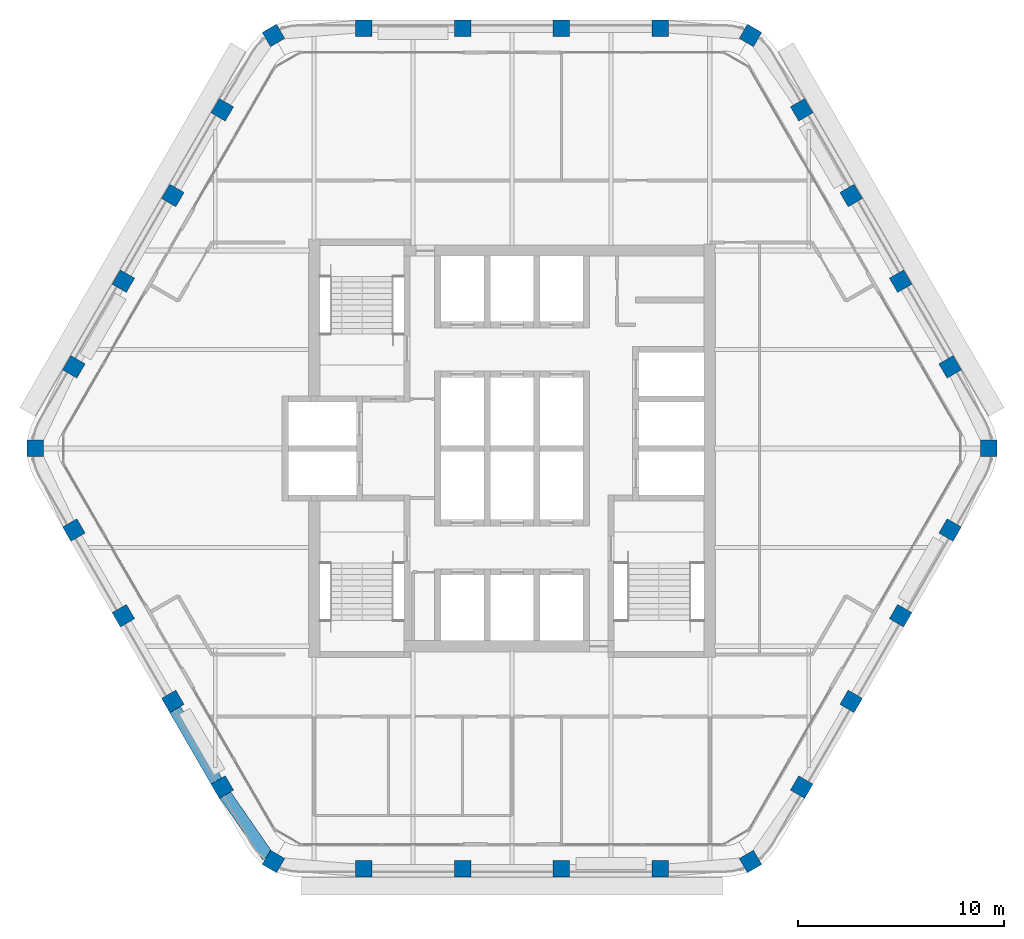
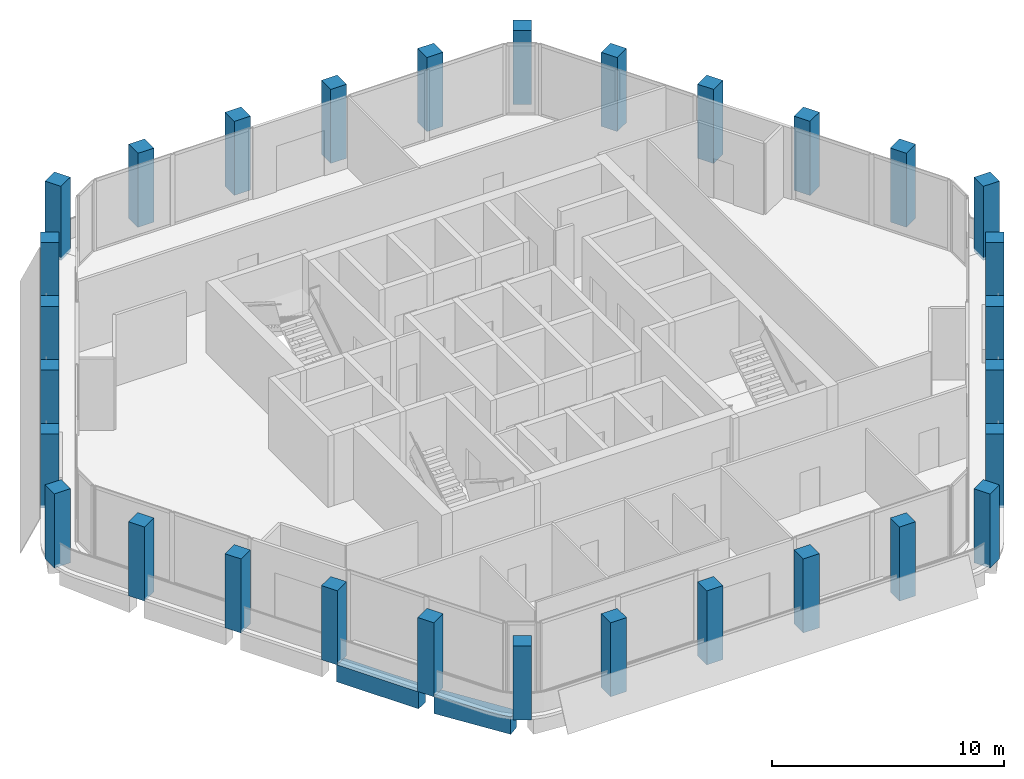
# One storey, part 1 of 13: 30 columns, 2 beams.
"""IFC4 building model written with IfcOpenShell, lengths in metres."""

from ifc_helpers import new_model, si_unit, direction, frame, origin, origin_2d, place, context, subcontext, project, spatial, rectangle, extrude, material, material_profile, profile_set, type_object, element, save


model = new_model("IFC4")

# Units and contexts
model_context = context("Model", 3, precision=1e-05, world=origin(), true_north=direction((0.0, 1.0)))
body_context = subcontext(model_context, "Body", "Model", "MODEL_VIEW")
ifc_project = project(units=[si_unit("LENGTHUNIT", "METRE"), si_unit("AREAUNIT", "SQUARE_METRE"), si_unit("VOLUMEUNIT", "CUBIC_METRE"), si_unit("PLANEANGLEUNIT", "RADIAN"), si_unit("MASSUNIT", "GRAM", prefix="KILO")], contexts=[model_context])

# Site, building, storey
site_placement = place(None, origin())
site = spatial("IfcSite", under=ifc_project, at=site_placement, CompositionType="ELEMENT")
building_placement = place(site_placement, origin())
building = spatial("IfcBuilding", under=site, at=building_placement, Name="Kolab Exchange Tower", CompositionType="ELEMENT")
storey_placement = place(building_placement, frame((0.0, 0.0, 277.39990234375)))
storey = spatial("IfcBuildingStorey", under=building, at=storey_placement, Name="L62", CompositionType="ELEMENT", Elevation=277.39990234375)

# Columns
ifc_material = material(Name="Concrete C50/60", Category="concrete")
ifc_material_profile_1 = material_profile(ifc_material, rectangle(XDim=0.800048828125, YDim=0.800048828125, at=origin_2d()), Name="RC800")
ifc_profile_set_1 = profile_set([ifc_material_profile_1], Name="Concrete C50/60")
column_type = type_object("IfcColumnType", Name="PERIMETER COLUMN 800 SQ C50/60", PredefinedType="COLUMN", material=ifc_profile_set_1)
for number, where, z_axis, x_axis, name in (
    (1, (-11.56787109375, 20.036376953125, -0.14990234375), (0.0, 0.0, 1.0), (0.866025403784, 0.5, 0.0), "col/L62/F1-01"),
    (2, (-7.199951171875, 20.384521484375, -0.14990234375), (0.0, 0.0, 1.0), (1.0, 0.0, 0.0), "col/L62/F1-02"),
    (3, (-2.39990234375, 20.384521484375, -0.14990234375), (0.0, 0.0, 1.0), (1.0, 0.0, 0.0), "col/L62/F1-03"),
    (4, (2.39990234375, 20.384521484375, -0.14990234375), (0.0, 0.0, 1.0), (1.0, 0.0, 0.0), "col/L62/F1-04"),
    (5, (7.199951171875, 20.384521484375, -0.14990234375), (0.0, 0.0, 1.0), (1.0, 0.0, 0.0), "col/L62/F1-05"),
    (6, (11.56787109375, 20.036376953125, -0.14990234375), (0.0, 0.0, 1.0), (0.5, 0.866025403784, 0.0), "col/L62/F2-01"),
    (7, (14.0537109375, 16.427734375, -0.14990234375), (0.0, 0.0, 1.0), (0.866025403784, 0.5, 0.0), "col/L62/F2-02"),
    (8, (16.45361328125, 12.270751953125, -0.14990234375), (0.0, 0.0, 1.0), (0.866025403784, 0.5, 0.0), "col/L62/F2-03"),
    (9, (18.853515625, 8.11376953125, -0.14990234375), (0.0, 0.0, 1.0), (0.866025403784, 0.5, 0.0), "col/L62/F2-04"),
    (10, (21.253662109375, 3.95703125, -0.14990234375), (0.0, 0.0, 1.0), (0.866025403784, 0.5, 0.0), "col/L62/F2-05"),
    (11, (23.135986328125, 0.0, -0.14990234375), (0.0, 0.0, 1.0), (1.0, 0.0, 0.0), "col/L62/F3-01"),
    (12, (21.253662109375, -3.95703125, -0.14990234375), (0.0, 0.0, 1.0), (0.5, 0.866025403784, 0.0), "col/L62/F3-02"),
    (13, (18.853515625, -8.11376953125, -0.14990234375), (0.0, 0.0, 1.0), (0.5, 0.866025403784, 0.0), "col/L62/F3-03"),
    (14, (16.45361328125, -12.270751953125, -0.14990234375), (0.0, 0.0, 1.0), (0.5, 0.866025403784, 0.0), "col/L62/F3-04"),
    (15, (14.0537109375, -16.427734375, -0.14990234375), (0.0, 0.0, 1.0), (0.5, 0.866025403784, 0.0), "col/L62/F3-05"),
    (16, (11.56787109375, -20.036376953125, -0.14990234375), (0.0, 0.0, 1.0), (0.866025403784, 0.5, 0.0), "col/L62/F4-01"),
    (17, (7.199951171875, -20.384521484375, -0.14990234375), (0.0, 0.0, 1.0), (1.0, 0.0, 0.0), "col/L62/F4-02"),
    (18, (2.39990234375, -20.384521484375, -0.14990234375), (0.0, 0.0, 1.0), (1.0, 0.0, 0.0), "col/L62/F4-03"),
    (19, (-2.39990234375, -20.384521484375, -0.14990234375), (0.0, 0.0, 1.0), (1.0, 0.0, 0.0), "col/L62/F4-04"),
    (20, (-7.199951171875, -20.384521484375, -0.14990234375), (0.0, 0.0, 1.0), (1.0, 0.0, 0.0), "col/L62/F4-05"),
    (21, (-11.56787109375, -20.036376953125, -0.14990234375), (0.0, 0.0, 1.0), (0.5, 0.866025403784, 0.0), "col/L62/F5-01"),
    (22, (-14.0537109375, -16.427734375, -0.14990234375), (0.0, 0.0, 1.0), (0.866025403784, 0.5, 0.0), "col/L62/F5-02"),
    (23, (-16.45361328125, -12.270751953125, -0.14990234375), (0.0, 0.0, 1.0), (0.866025403784, 0.5, 0.0), "col/L62/F5-03"),
    (24, (-18.853515625, -8.11376953125, -0.14990234375), (0.0, 0.0, 1.0), (0.866025403784, 0.5, 0.0), "col/L62/F5-04"),
    (25, (-21.253662109375, -3.95703125, -0.14990234375), (0.0, 0.0, 1.0), (0.866025403784, 0.5, 0.0), "col/L62/F5-05"),
    (26, (-23.135986328125, 0.0, -0.14990234375), (0.0, 0.0, 1.0), (1.0, 0.0, 0.0), "col/L62/F6-01"),
    (27, (-21.253662109375, 3.95703125, -0.14990234375), (0.0, 0.0, 1.0), (0.5, 0.866025403784, 0.0), "col/L62/F6-02"),
    (28, (-18.853515625, 8.11376953125, -0.14990234375), (0.0, 0.0, 1.0), (0.5, 0.866025403784, 0.0), "col/L62/F6-03"),
    (29, (-16.45361328125, 12.270751953125, -0.14990234375), (0.0, 0.0, 1.0), (0.5, 0.866025403784, 0.0), "col/L62/F6-04"),
    (30, (-14.0537109375, 16.427734375, -0.14990234375), (0.0, 0.0, 1.0), (0.5, 0.866025403784, 0.0), "col/L62/F6-05"),
):
    element("IfcColumn", number, at=place(storey_placement, frame(where, z_axis=z_axis, x_axis=x_axis)), inside=storey, type_object=column_type, Name=name, PredefinedType="COLUMN", context=body_context, shape_type="SweptSolid", body=[
        extrude(rectangle(XDim=0.800048828125, YDim=0.800048828125, at=origin_2d()), origin(), (0.0, 0.0, 1.0), 3.89990234375),
    ])

# Beams
ifc_material_profile_2 = material_profile(ifc_material, rectangle(XDim=0.60009765625, YDim=0.89990234375, at=origin_2d()), Name="RC600X900")
ifc_profile_set_2 = profile_set([ifc_material_profile_2], Name="Concrete C50/60")
beam_type = type_object("IfcBeamType", Name="SPANDREL BEAM 600X900 C50/60", PredefinedType="BEAM", material=ifc_profile_set_2)
beam_1_placement = place(storey_placement, frame((-11.846923828125, -19.7919921875, -0.599853515625), z_axis=(-0.569005808573, 0.822333502789, 0.0), x_axis=(-0.822333502789, -0.569005808573, 0.0)))
element("IfcBeam", 31, at=beam_1_placement, inside=storey, type_object=beam_type, Name="beam/L62/sp/F5-01", PredefinedType="BEAM", context=body_context, shape_type="SweptSolid", body=[
    extrude(rectangle(XDim=0.60009765625, YDim=0.89990234375, at=origin_2d()), origin(), (0.0, 0.0, 1.0), 3.6689453125),
])
beam_2_placement = place(storey_placement, frame((-14.3203125, -16.166015625, -0.599853515625), z_axis=(-0.499955548806, 0.866051066172, 0.0), x_axis=(-0.866051066172, -0.499955548806, 0.0)))
element("IfcBeam", 32, at=beam_2_placement, inside=storey, type_object=beam_type, Name="beam/L62/sp/F5-02", PredefinedType="BEAM", context=body_context, shape_type="SweptSolid", body=[
    extrude(rectangle(XDim=0.60009765625, YDim=0.89990234375, at=origin_2d()), origin(), (0.0, 0.0, 1.0), 4.079833984375),
])

save(model, "model.ifc")
